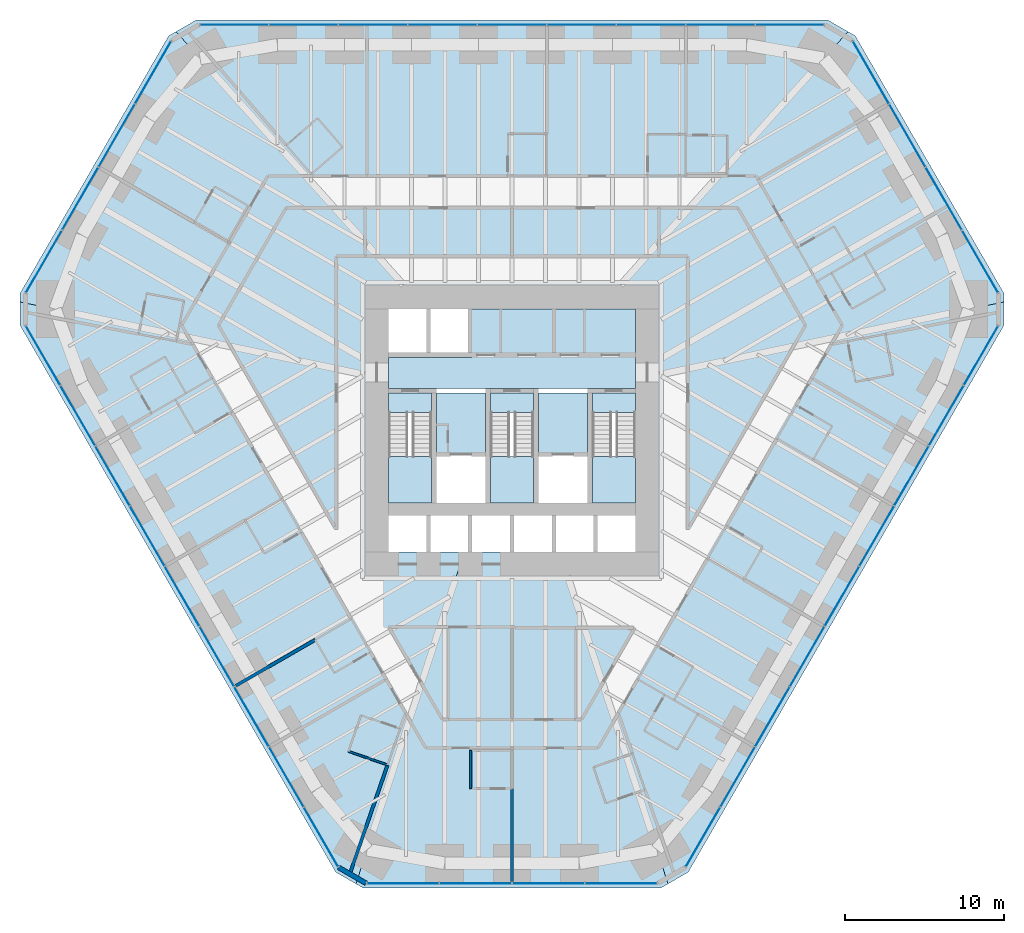
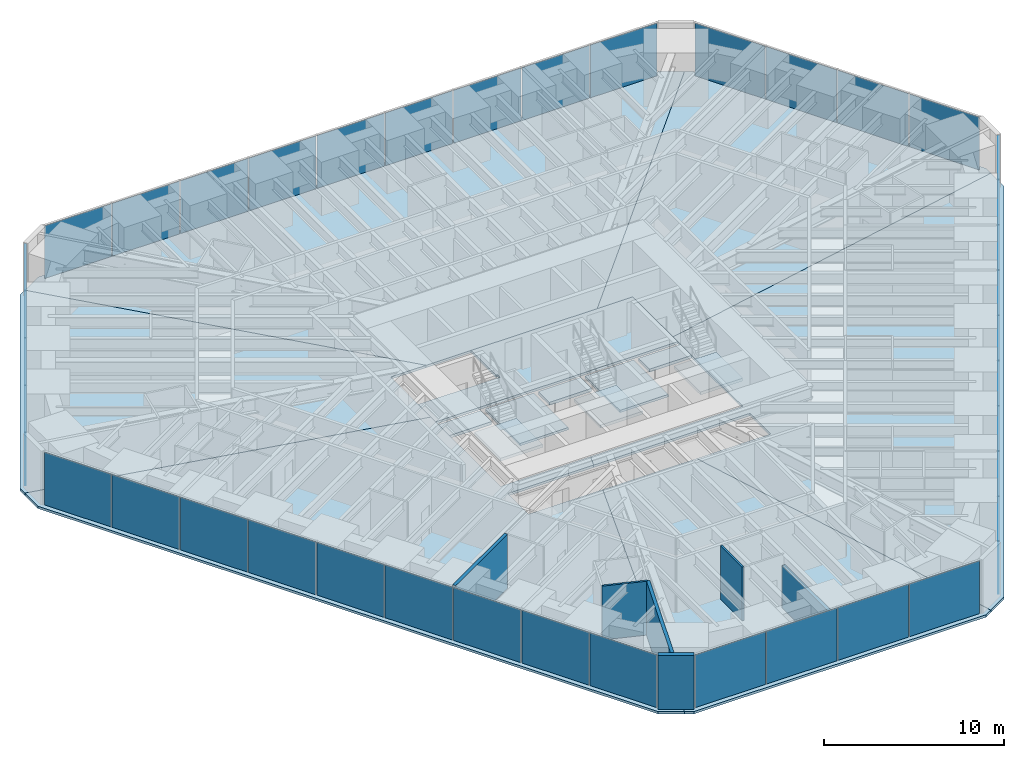
# One storey, part 10 of 17: 39 plates, 15 slabs, 6 walls, 9 elements without a shape of their own.
"""IFC4 building model written with IfcOpenShell, lengths in metres."""

from ifc_helpers import new_model, si_unit, direction, frame, frame_2d, origin, origin_2d, place, context, subcontext, project, spatial, polyline, rectangle, outline, extrude, material, layer, layer_set, type_object, element, aggregate, save


model = new_model("IFC4")

# Units and contexts
model_context = context("Model", 3, precision=1e-05, world=origin(), true_north=direction((0.0, 1.0)))
body_context = subcontext(model_context, "Body", "Model", "MODEL_VIEW")
ifc_project = project(units=[si_unit("LENGTHUNIT", "METRE"), si_unit("AREAUNIT", "SQUARE_METRE"), si_unit("VOLUMEUNIT", "CUBIC_METRE"), si_unit("PLANEANGLEUNIT", "RADIAN"), si_unit("MASSUNIT", "GRAM", prefix="KILO")], contexts=[model_context])

# Site, building, storey
site_placement = place(None, origin())
site = spatial("IfcSite", under=ifc_project, at=site_placement, CompositionType="ELEMENT")
building_placement = place(site_placement, origin())
building = spatial("IfcBuilding", under=site, at=building_placement, Name="Sandreach Pilgrim Tower", CompositionType="ELEMENT")
storey_placement = place(building_placement, frame((0.0, 0.0, 53.39990234375)))
storey = spatial("IfcBuildingStorey", under=building, at=storey_placement, Name="L12", CompositionType="ELEMENT", Elevation=53.39990234375)

# Curtain wall, plates
ifc_material_1 = material(Name="Aluminium framed curtain wall", Category="aluminium")
curtain_wall_type = type_object("IfcCurtainWallType", Name="Hostel tower curtain wall", PredefinedType="NOTDEFINED", material=ifc_material_1)
curtain_wall_1_placement = place(storey_placement, origin())
curtain_wall_1 = element("IfcCurtainWall", 1, at=curtain_wall_1_placement, inside=storey, type_object=curtain_wall_type, Name="CW-1 L12 N", PredefinedType="NOTDEFINED")
ifc_material_2 = material(Name="Insulating glass unit 6 heat-strengthened + 12 argon + 6 heat-strengthened", Category="glass")
ifc_layer_1 = layer(ifc_material_2, 0.02392578125)
ifc_layer_set_1 = layer_set([ifc_layer_1], Name="CW-1 panel")
plate_type = type_object("IfcPlateType", Name="CW-1 panel", PredefinedType="CURTAIN_PANEL", material=ifc_layer_set_1)
plate_1_placement = place(storey_placement, frame((-17.469970703125, 23.94873046875, 0.0), z_axis=(0.0, 0.0, 1.0), x_axis=(1.0, 0.0, 0.0)))
plate_1 = element("IfcPlate", 2, at=plate_1_placement, type_object=plate_type, Name="CW-1 panel 1", PredefinedType="CURTAIN_PANEL", context=body_context, shape_type="SweptSolid", body=[
    extrude(rectangle(XDim=4.274169921875, YDim=0.02392578125, at=origin_2d()), origin(), (0.0, 0.0, 1.0), 3.570068359375),
])
plate_2_placement = place(storey_placement, frame((-13.11474609375, 23.94873046875, 0.0), z_axis=(0.0, 0.0, 1.0), x_axis=(1.0, 0.0, 0.0)))
plate_2 = element("IfcPlate", 3, at=plate_2_placement, type_object=plate_type, Name="CW-1 panel 2", PredefinedType="CURTAIN_PANEL", context=body_context, shape_type="SweptSolid", body=[
    extrude(rectangle(XDim=4.306640625, YDim=0.02392578125, at=origin_2d()), origin(), (0.0, 0.0, 1.0), 3.570068359375),
])
plate_3_placement = place(storey_placement, frame((-8.7431640625, 23.94873046875, 0.0), z_axis=(0.0, 0.0, 1.0), x_axis=(1.0, 0.0, 0.0)))
plate_3 = element("IfcPlate", 4, at=plate_3_placement, type_object=plate_type, Name="CW-1 panel 3", PredefinedType="CURTAIN_PANEL", context=body_context, shape_type="SweptSolid", body=[
    extrude(rectangle(XDim=4.306640625, YDim=0.02392578125, at=origin_2d()), origin(), (0.0, 0.0, 1.0), 3.570068359375),
])
plate_4_placement = place(storey_placement, frame((-4.37158203125, 23.94873046875, 0.0), z_axis=(0.0, 0.0, 1.0), x_axis=(1.0, 0.0, 0.0)))
plate_4 = element("IfcPlate", 5, at=plate_4_placement, type_object=plate_type, Name="CW-1 panel 4", PredefinedType="CURTAIN_PANEL", context=body_context, shape_type="SweptSolid", body=[
    extrude(rectangle(XDim=4.306640625, YDim=0.02392578125, at=origin_2d()), origin(), (0.0, 0.0, 1.0), 3.570068359375),
])
plate_5_placement = place(storey_placement, frame((0.0, 23.94873046875, 0.0), z_axis=(0.0, 0.0, 1.0), x_axis=(1.0, 0.0, 0.0)))
plate_5 = element("IfcPlate", 6, at=plate_5_placement, type_object=plate_type, Name="CW-1 panel 5", PredefinedType="CURTAIN_PANEL", context=body_context, shape_type="SweptSolid", body=[
    extrude(rectangle(XDim=4.306640625, YDim=0.02392578125, at=origin_2d()), origin(), (0.0, 0.0, 1.0), 3.570068359375),
])
plate_6_placement = place(storey_placement, frame((4.37158203125, 23.94873046875, 0.0), z_axis=(0.0, 0.0, 1.0), x_axis=(1.0, 0.0, 0.0)))
plate_6 = element("IfcPlate", 7, at=plate_6_placement, type_object=plate_type, Name="CW-1 panel 6", PredefinedType="CURTAIN_PANEL", context=body_context, shape_type="SweptSolid", body=[
    extrude(rectangle(XDim=4.306640625, YDim=0.02392578125, at=origin_2d()), origin(), (0.0, 0.0, 1.0), 3.570068359375),
])
plate_7_placement = place(storey_placement, frame((8.7431640625, 23.94873046875, 0.0), z_axis=(0.0, 0.0, 1.0), x_axis=(1.0, 0.0, 0.0)))
plate_7 = element("IfcPlate", 8, at=plate_7_placement, type_object=plate_type, Name="CW-1 panel 7", PredefinedType="CURTAIN_PANEL", context=body_context, shape_type="SweptSolid", body=[
    extrude(rectangle(XDim=4.306640625, YDim=0.02392578125, at=origin_2d()), origin(), (0.0, 0.0, 1.0), 3.570068359375),
])
plate_8_placement = place(storey_placement, frame((13.11474609375, 23.94873046875, 0.0), z_axis=(0.0, 0.0, 1.0), x_axis=(1.0, 0.0, 0.0)))
plate_8 = element("IfcPlate", 9, at=plate_8_placement, type_object=plate_type, Name="CW-1 panel 8", PredefinedType="CURTAIN_PANEL", context=body_context, shape_type="SweptSolid", body=[
    extrude(rectangle(XDim=4.306640625, YDim=0.02392578125, at=origin_2d()), origin(), (0.0, 0.0, 1.0), 3.570068359375),
])
plate_9_placement = place(storey_placement, frame((17.469970703125, 23.94873046875, 0.0), z_axis=(0.0, 0.0, 1.0), x_axis=(1.0, 0.0, 0.0)))
plate_9 = element("IfcPlate", 10, at=plate_9_placement, type_object=plate_type, Name="CW-1 panel 9", PredefinedType="CURTAIN_PANEL", context=body_context, shape_type="SweptSolid", body=[
    extrude(rectangle(XDim=4.274169921875, YDim=0.02392578125, at=origin_2d()), origin(), (0.0, 0.0, 1.0), 3.570068359375),
])
aggregate(curtain_wall_1, [plate_1, plate_2, plate_3, plate_4, plate_5, plate_6, plate_7, plate_8, plate_9])

curtain_wall_2_placement = place(storey_placement, origin())
curtain_wall_2 = element("IfcCurtainWall", 11, at=curtain_wall_2_placement, inside=storey, type_object=curtain_wall_type, Name="CW-1 L12 NE", PredefinedType="NOTDEFINED")
plate_10_placement = place(storey_placement, frame((22.558837890625, 20.94873046875, 0.0), z_axis=(0.0, 0.0, 1.0), x_axis=(0.5, -0.866025403784, 0.0)))
plate_10 = element("IfcPlate", 12, at=plate_10_placement, type_object=plate_type, Name="CW-1 panel 1", PredefinedType="CURTAIN_PANEL", context=body_context, shape_type="SweptSolid", body=[
    extrude(rectangle(XDim=4.488525390625, YDim=0.02392578125, at=origin_2d()), origin(), (0.0, 0.0, 1.0), 3.570068359375),
])
plate_11_placement = place(storey_placement, frame((24.84375, 16.9912109375, 0.0), z_axis=(0.0, 0.0, 1.0), x_axis=(0.5, -0.866025403784, 0.0)))
plate_11 = element("IfcPlate", 13, at=plate_11_placement, type_object=plate_type, Name="CW-1 panel 2", PredefinedType="CURTAIN_PANEL", context=body_context, shape_type="SweptSolid", body=[
    extrude(rectangle(XDim=4.52099609375, YDim=0.02392578125, at=origin_2d()), origin(), (0.0, 0.0, 1.0), 3.570068359375),
])
plate_12_placement = place(storey_placement, frame((27.13671875, 13.01953125, 0.0), z_axis=(0.0, 0.0, 1.0), x_axis=(0.5, -0.866025403784, 0.0)))
plate_12 = element("IfcPlate", 14, at=plate_12_placement, type_object=plate_type, Name="CW-1 panel 3", PredefinedType="CURTAIN_PANEL", context=body_context, shape_type="SweptSolid", body=[
    extrude(rectangle(XDim=4.52099609375, YDim=0.02392578125, at=origin_2d()), origin(), (0.0, 0.0, 1.0), 3.570068359375),
])
plate_13_placement = place(storey_placement, frame((29.421630859375, 9.06201171875, 0.0), z_axis=(0.0, 0.0, 1.0), x_axis=(0.5, -0.866025403784, 0.0)))
plate_13 = element("IfcPlate", 15, at=plate_13_placement, type_object=plate_type, Name="CW-1 panel 4", PredefinedType="CURTAIN_PANEL", context=body_context, shape_type="SweptSolid", body=[
    extrude(rectangle(XDim=4.488525390625, YDim=0.02392578125, at=origin_2d()), origin(), (0.0, 0.0, 1.0), 3.570068359375),
])
aggregate(curtain_wall_2, [plate_10, plate_11, plate_12, plate_13])

curtain_wall_3_placement = place(storey_placement, origin())
curtain_wall_3 = element("IfcCurtainWall", 16, at=curtain_wall_3_placement, inside=storey, type_object=curtain_wall_type, Name="CW-1 L12 SE", PredefinedType="NOTDEFINED")
plate_14_placement = place(storey_placement, frame((29.475341796875, 3.1552734375, 0.0), z_axis=(0.0, 0.0, 1.0), x_axis=(-0.5, -0.866025403784, 0.0)))
plate_14 = element("IfcPlate", 17, at=plate_14_placement, type_object=plate_type, Name="CW-1 panel 1", PredefinedType="CURTAIN_PANEL", context=body_context, shape_type="SweptSolid", body=[
    extrude(rectangle(XDim=4.274169921875, YDim=0.02392578125, at=origin_2d()), origin(), (0.0, 0.0, 1.0), 3.570068359375),
])
plate_15_placement = place(storey_placement, frame((27.297607421875, -0.61669921875, 0.0), z_axis=(0.0, 0.0, 1.0), x_axis=(-0.5, -0.866025403784, 0.0)))
plate_15 = element("IfcPlate", 18, at=plate_15_placement, type_object=plate_type, Name="CW-1 panel 2", PredefinedType="CURTAIN_PANEL", context=body_context, shape_type="SweptSolid", body=[
    extrude(rectangle(XDim=4.306640625, YDim=0.02392578125, at=origin_2d()), origin(), (0.0, 0.0, 1.0), 3.570068359375),
])
plate_16_placement = place(storey_placement, frame((25.11181640625, -4.402587890625, 0.0), z_axis=(0.0, 0.0, 1.0), x_axis=(-0.5, -0.866025403784, 0.0)))
plate_16 = element("IfcPlate", 19, at=plate_16_placement, type_object=plate_type, Name="CW-1 panel 3", PredefinedType="CURTAIN_PANEL", context=body_context, shape_type="SweptSolid", body=[
    extrude(rectangle(XDim=4.306640625, YDim=0.02392578125, at=origin_2d()), origin(), (0.0, 0.0, 1.0), 3.570068359375),
])
plate_17_placement = place(storey_placement, frame((22.926025390625, -8.1884765625, 0.0), z_axis=(0.0, 0.0, 1.0), x_axis=(-0.5, -0.866025403784, 0.0)))
plate_17 = element("IfcPlate", 20, at=plate_17_placement, type_object=plate_type, Name="CW-1 panel 4", PredefinedType="CURTAIN_PANEL", context=body_context, shape_type="SweptSolid", body=[
    extrude(rectangle(XDim=4.306640625, YDim=0.02392578125, at=origin_2d()), origin(), (0.0, 0.0, 1.0), 3.570068359375),
])
plate_18_placement = place(storey_placement, frame((20.740234375, -11.974365234375, 0.0), z_axis=(0.0, 0.0, 1.0), x_axis=(-0.5, -0.866025403784, 0.0)))
plate_18 = element("IfcPlate", 21, at=plate_18_placement, type_object=plate_type, Name="CW-1 panel 5", PredefinedType="CURTAIN_PANEL", context=body_context, shape_type="SweptSolid", body=[
    extrude(rectangle(XDim=4.306640625, YDim=0.02392578125, at=origin_2d()), origin(), (0.0, 0.0, 1.0), 3.570068359375),
])
plate_19_placement = place(storey_placement, frame((18.554443359375, -15.76025390625, 0.0), z_axis=(0.0, 0.0, 1.0), x_axis=(-0.5, -0.866025403784, 0.0)))
plate_19 = element("IfcPlate", 22, at=plate_19_placement, type_object=plate_type, Name="CW-1 panel 6", PredefinedType="CURTAIN_PANEL", context=body_context, shape_type="SweptSolid", body=[
    extrude(rectangle(XDim=4.306640625, YDim=0.02392578125, at=origin_2d()), origin(), (0.0, 0.0, 1.0), 3.570068359375),
])
plate_20_placement = place(storey_placement, frame((16.36865234375, -19.546142578125, 0.0), z_axis=(0.0, 0.0, 1.0), x_axis=(-0.5, -0.866025403784, 0.0)))
plate_20 = element("IfcPlate", 23, at=plate_20_placement, type_object=plate_type, Name="CW-1 panel 7", PredefinedType="CURTAIN_PANEL", context=body_context, shape_type="SweptSolid", body=[
    extrude(rectangle(XDim=4.306640625, YDim=0.02392578125, at=origin_2d()), origin(), (0.0, 0.0, 1.0), 3.570068359375),
])
plate_21_placement = place(storey_placement, frame((14.182861328125, -23.33203125, 0.0), z_axis=(0.0, 0.0, 1.0), x_axis=(-0.5, -0.866025403784, 0.0)))
plate_21 = element("IfcPlate", 24, at=plate_21_placement, type_object=plate_type, Name="CW-1 panel 8", PredefinedType="CURTAIN_PANEL", context=body_context, shape_type="SweptSolid", body=[
    extrude(rectangle(XDim=4.306640625, YDim=0.02392578125, at=origin_2d()), origin(), (0.0, 0.0, 1.0), 3.570068359375),
])
plate_22_placement = place(storey_placement, frame((12.005126953125, -27.103759765625, 0.0), z_axis=(0.0, 0.0, 1.0), x_axis=(-0.5, -0.866025403784, 0.0)))
plate_22 = element("IfcPlate", 25, at=plate_22_placement, type_object=plate_type, Name="CW-1 panel 9", PredefinedType="CURTAIN_PANEL", context=body_context, shape_type="SweptSolid", body=[
    extrude(rectangle(XDim=4.274169921875, YDim=0.02392578125, at=origin_2d()), origin(), (0.0, 0.0, 1.0), 3.570068359375),
])
aggregate(curtain_wall_3, [plate_14, plate_15, plate_16, plate_17, plate_18, plate_19, plate_20, plate_21, plate_22])

curtain_wall_4_placement = place(storey_placement, origin())
curtain_wall_4 = element("IfcCurtainWall", 26, at=curtain_wall_4_placement, inside=storey, type_object=curtain_wall_type, Name="CW-1 L12 S", PredefinedType="NOTDEFINED")
plate_23_placement = place(storey_placement, frame((6.86279296875, -30.010986328125, 0.0), z_axis=(0.0, 0.0, 1.0), x_axis=(-1.0, 0.0, 0.0)))
plate_23 = element("IfcPlate", 27, at=plate_23_placement, type_object=plate_type, Name="CW-1 panel 1", PredefinedType="CURTAIN_PANEL", context=body_context, shape_type="SweptSolid", body=[
    extrude(rectangle(XDim=4.488525390625, YDim=0.02392578125, at=origin_2d()), origin(), (0.0, 0.0, 1.0), 3.570068359375),
])
plate_24_placement = place(storey_placement, frame((2.29296875, -30.010986328125, 0.0), z_axis=(0.0, 0.0, 1.0), x_axis=(-1.0, 0.0, 0.0)))
plate_24 = element("IfcPlate", 28, at=plate_24_placement, type_object=plate_type, Name="CW-1 panel 2", PredefinedType="CURTAIN_PANEL", context=body_context, shape_type="SweptSolid", body=[
    extrude(rectangle(XDim=4.52099609375, YDim=0.02392578125, at=origin_2d()), origin(), (0.0, 0.0, 1.0), 3.570068359375),
])
plate_25_placement = place(storey_placement, frame((-2.29296875, -30.010986328125, 0.0), z_axis=(0.0, 0.0, 1.0), x_axis=(-1.0, 0.0, 0.0)))
plate_25 = element("IfcPlate", 29, at=plate_25_placement, type_object=plate_type, Name="CW-1 panel 3", PredefinedType="CURTAIN_PANEL", context=body_context, shape_type="SweptSolid", body=[
    extrude(rectangle(XDim=4.52099609375, YDim=0.02392578125, at=origin_2d()), origin(), (0.0, 0.0, 1.0), 3.570068359375),
])
plate_26_placement = place(storey_placement, frame((-6.86279296875, -30.010986328125, 0.0), z_axis=(0.0, 0.0, 1.0), x_axis=(-1.0, 0.0, 0.0)))
plate_26 = element("IfcPlate", 30, at=plate_26_placement, type_object=plate_type, Name="CW-1 panel 4", PredefinedType="CURTAIN_PANEL", context=body_context, shape_type="SweptSolid", body=[
    extrude(rectangle(XDim=4.488525390625, YDim=0.02392578125, at=origin_2d()), origin(), (0.0, 0.0, 1.0), 3.570068359375),
])
aggregate(curtain_wall_4, [plate_23, plate_24, plate_25, plate_26])

curtain_wall_5_placement = place(storey_placement, origin())
curtain_wall_5 = element("IfcCurtainWall", 31, at=curtain_wall_5_placement, inside=storey, type_object=curtain_wall_type, Name="CW-1 L12 SW", PredefinedType="NOTDEFINED")
plate_27_placement = place(storey_placement, frame((-12.005126953125, -27.103759765625, 0.0), z_axis=(0.0, 0.0, 1.0), x_axis=(-0.5, 0.866025403784, 0.0)))
plate_27 = element("IfcPlate", 32, at=plate_27_placement, type_object=plate_type, Name="CW-1 panel 1", PredefinedType="CURTAIN_PANEL", context=body_context, shape_type="SweptSolid", body=[
    extrude(rectangle(XDim=4.274169921875, YDim=0.02392578125, at=origin_2d()), origin(), (0.0, 0.0, 1.0), 3.570068359375),
])
plate_28_placement = place(storey_placement, frame((-14.182861328125, -23.33203125, 0.0), z_axis=(0.0, 0.0, 1.0), x_axis=(-0.5, 0.866025403784, 0.0)))
plate_28 = element("IfcPlate", 33, at=plate_28_placement, type_object=plate_type, Name="CW-1 panel 2", PredefinedType="CURTAIN_PANEL", context=body_context, shape_type="SweptSolid", body=[
    extrude(rectangle(XDim=4.306640625, YDim=0.02392578125, at=origin_2d()), origin(), (0.0, 0.0, 1.0), 3.570068359375),
])
plate_29_placement = place(storey_placement, frame((-16.36865234375, -19.546142578125, 0.0), z_axis=(0.0, 0.0, 1.0), x_axis=(-0.5, 0.866025403784, 0.0)))
plate_29 = element("IfcPlate", 34, at=plate_29_placement, type_object=plate_type, Name="CW-1 panel 3", PredefinedType="CURTAIN_PANEL", context=body_context, shape_type="SweptSolid", body=[
    extrude(rectangle(XDim=4.306640625, YDim=0.02392578125, at=origin_2d()), origin(), (0.0, 0.0, 1.0), 3.570068359375),
])
plate_30_placement = place(storey_placement, frame((-18.554443359375, -15.76025390625, 0.0), z_axis=(0.0, 0.0, 1.0), x_axis=(-0.5, 0.866025403784, 0.0)))
plate_30 = element("IfcPlate", 35, at=plate_30_placement, type_object=plate_type, Name="CW-1 panel 4", PredefinedType="CURTAIN_PANEL", context=body_context, shape_type="SweptSolid", body=[
    extrude(rectangle(XDim=4.306640625, YDim=0.02392578125, at=origin_2d()), origin(), (0.0, 0.0, 1.0), 3.570068359375),
])
plate_31_placement = place(storey_placement, frame((-20.740234375, -11.974365234375, 0.0), z_axis=(0.0, 0.0, 1.0), x_axis=(-0.5, 0.866025403784, 0.0)))
plate_31 = element("IfcPlate", 36, at=plate_31_placement, type_object=plate_type, Name="CW-1 panel 5", PredefinedType="CURTAIN_PANEL", context=body_context, shape_type="SweptSolid", body=[
    extrude(rectangle(XDim=4.306640625, YDim=0.02392578125, at=origin_2d()), origin(), (0.0, 0.0, 1.0), 3.570068359375),
])
plate_32_placement = place(storey_placement, frame((-22.926025390625, -8.1884765625, 0.0), z_axis=(0.0, 0.0, 1.0), x_axis=(-0.5, 0.866025403784, 0.0)))
plate_32 = element("IfcPlate", 37, at=plate_32_placement, type_object=plate_type, Name="CW-1 panel 6", PredefinedType="CURTAIN_PANEL", context=body_context, shape_type="SweptSolid", body=[
    extrude(rectangle(XDim=4.306640625, YDim=0.02392578125, at=origin_2d()), origin(), (0.0, 0.0, 1.0), 3.570068359375),
])
plate_33_placement = place(storey_placement, frame((-25.11181640625, -4.402587890625, 0.0), z_axis=(0.0, 0.0, 1.0), x_axis=(-0.5, 0.866025403784, 0.0)))
plate_33 = element("IfcPlate", 38, at=plate_33_placement, type_object=plate_type, Name="CW-1 panel 7", PredefinedType="CURTAIN_PANEL", context=body_context, shape_type="SweptSolid", body=[
    extrude(rectangle(XDim=4.306640625, YDim=0.02392578125, at=origin_2d()), origin(), (0.0, 0.0, 1.0), 3.570068359375),
])
plate_34_placement = place(storey_placement, frame((-27.297607421875, -0.61669921875, 0.0), z_axis=(0.0, 0.0, 1.0), x_axis=(-0.5, 0.866025403784, 0.0)))
plate_34 = element("IfcPlate", 39, at=plate_34_placement, type_object=plate_type, Name="CW-1 panel 8", PredefinedType="CURTAIN_PANEL", context=body_context, shape_type="SweptSolid", body=[
    extrude(rectangle(XDim=4.306640625, YDim=0.02392578125, at=origin_2d()), origin(), (0.0, 0.0, 1.0), 3.570068359375),
])
plate_35_placement = place(storey_placement, frame((-29.475341796875, 3.1552734375, 0.0), z_axis=(0.0, 0.0, 1.0), x_axis=(-0.5, 0.866025403784, 0.0)))
plate_35 = element("IfcPlate", 40, at=plate_35_placement, type_object=plate_type, Name="CW-1 panel 9", PredefinedType="CURTAIN_PANEL", context=body_context, shape_type="SweptSolid", body=[
    extrude(rectangle(XDim=4.274169921875, YDim=0.02392578125, at=origin_2d()), origin(), (0.0, 0.0, 1.0), 3.570068359375),
])
aggregate(curtain_wall_5, [plate_27, plate_28, plate_29, plate_30, plate_31, plate_32, plate_33, plate_34, plate_35])

curtain_wall_6_placement = place(storey_placement, origin())
curtain_wall_6 = element("IfcCurtainWall", 41, at=curtain_wall_6_placement, inside=storey, type_object=curtain_wall_type, Name="CW-1 L12 NW", PredefinedType="NOTDEFINED")
plate_36_placement = place(storey_placement, frame((-29.421630859375, 9.06201171875, 0.0), z_axis=(0.0, 0.0, 1.0), x_axis=(0.5, 0.866025403784, 0.0)))
plate_36 = element("IfcPlate", 42, at=plate_36_placement, type_object=plate_type, Name="CW-1 panel 1", PredefinedType="CURTAIN_PANEL", context=body_context, shape_type="SweptSolid", body=[
    extrude(rectangle(XDim=4.488525390625, YDim=0.02392578125, at=origin_2d()), origin(), (0.0, 0.0, 1.0), 3.570068359375),
])
plate_37_placement = place(storey_placement, frame((-27.13671875, 13.01953125, 0.0), z_axis=(0.0, 0.0, 1.0), x_axis=(0.5, 0.866025403784, 0.0)))
plate_37 = element("IfcPlate", 43, at=plate_37_placement, type_object=plate_type, Name="CW-1 panel 2", PredefinedType="CURTAIN_PANEL", context=body_context, shape_type="SweptSolid", body=[
    extrude(rectangle(XDim=4.52099609375, YDim=0.02392578125, at=origin_2d()), origin(), (0.0, 0.0, 1.0), 3.570068359375),
])
plate_38_placement = place(storey_placement, frame((-24.84375, 16.9912109375, 0.0), z_axis=(0.0, 0.0, 1.0), x_axis=(0.5, 0.866025403784, 0.0)))
plate_38 = element("IfcPlate", 44, at=plate_38_placement, type_object=plate_type, Name="CW-1 panel 3", PredefinedType="CURTAIN_PANEL", context=body_context, shape_type="SweptSolid", body=[
    extrude(rectangle(XDim=4.52099609375, YDim=0.02392578125, at=origin_2d()), origin(), (0.0, 0.0, 1.0), 3.570068359375),
])
plate_39_placement = place(storey_placement, frame((-22.558837890625, 20.94873046875, 0.0), z_axis=(0.0, 0.0, 1.0), x_axis=(0.5, 0.866025403784, 0.0)))
plate_39 = element("IfcPlate", 45, at=plate_39_placement, type_object=plate_type, Name="CW-1 panel 4", PredefinedType="CURTAIN_PANEL", context=body_context, shape_type="SweptSolid", body=[
    extrude(rectangle(XDim=4.488525390625, YDim=0.02392578125, at=origin_2d()), origin(), (0.0, 0.0, 1.0), 3.570068359375),
])
aggregate(curtain_wall_6, [plate_36, plate_37, plate_38, plate_39])

# Slabs
ifc_material_3 = material(Name="Concrete 8000 psi", Category="concrete")
ifc_layer_2 = layer(ifc_material_3, 0.159912109375)
ifc_layer_set_2 = layer_set([ifc_layer_2], Name="Composite floor slab 160")
slab_type_1 = type_object("IfcSlabType", Name="Composite floor slab 160", PredefinedType="FLOOR", material=ifc_layer_set_2)
slab_1_placement = place(storey_placement, frame((0.0, 0.0, -0.159912109375)))
element("IfcSlab", 46, at=slab_1_placement, inside=storey, type_object=slab_type_1, Name="Floor slab L12 N sector", PredefinedType="FLOOR", context=body_context, shape_type="SweptSolid", body=[
    extrude(outline(polyline([(-19.84521484375, 24.248779296875), (19.84521484375, 24.248779296875), (21.115478515625, 23.515380859375), (5.477294921875, 6.10009765625), (-5.477294921875, 6.10009765625), (-21.115478515625, 23.515380859375), (-19.84521484375, 24.248779296875)])), origin(), (0.0, 0.0, 1.0), 0.159912109375),
])
slab_2_placement = place(storey_placement, frame((0.0, 0.0, -0.159912109375)))
element("IfcSlab", 47, at=slab_2_placement, inside=storey, type_object=slab_type_1, Name="Floor slab L12 NE sector", PredefinedType="FLOOR", context=body_context, shape_type="SweptSolid", body=[
    extrude(outline(polyline([(21.577392578125, 23.248779296875), (30.922607421875, 7.062255859375), (30.922607421875, 6.52880859375), (7.75, 1.63623046875), (7.75, 6.10009765625), (5.477294921875, 6.10009765625), (21.115478515625, 23.515380859375), (21.577392578125, 23.248779296875)])), origin(), (0.0, 0.0, 1.0), 0.159912109375),
])
slab_3_placement = place(storey_placement, frame((0.0, 0.0, -0.159912109375)))
element("IfcSlab", 48, at=slab_3_placement, inside=storey, type_object=slab_type_1, Name="Floor slab L12 SE sector", PredefinedType="FLOOR", context=body_context, shape_type="SweptSolid", body=[
    extrude(outline(polyline([(11.077392578125, -29.310791015625), (9.80712890625, -30.044189453125), (3.003173828125, -9.199951171875), (7.75, -9.199951171875), (7.75, -6.89990234375), (-2.252197265625, -6.89990234375), (-1.9912109375, -6.10009765625), (7.75, -6.10009765625), (7.75, 1.63623046875), (30.922607421875, 6.52880859375), (30.922607421875, 5.062255859375), (11.077392578125, -29.310791015625)])), origin(), (0.0, 0.0, 1.0), 0.159912109375),
])
slab_4_placement = place(storey_placement, frame((0.0, 0.0, -0.159912109375)))
element("IfcSlab", 49, at=slab_4_placement, inside=storey, type_object=slab_type_1, Name="Floor slab L12 S sector", PredefinedType="FLOOR", context=body_context, shape_type="SweptSolid", body=[
    extrude(outline(polyline([(9.34521484375, -30.310791015625), (-9.34521484375, -30.310791015625), (-9.80712890625, -30.044189453125), (-3.003173828125, -9.199951171875), (3.003173828125, -9.199951171875), (9.80712890625, -30.044189453125), (9.34521484375, -30.310791015625)])), origin(), (0.0, 0.0, 1.0), 0.159912109375),
])
slab_5_placement = place(storey_placement, frame((0.0, 0.0, -0.159912109375)))
element("IfcSlab", 50, at=slab_5_placement, inside=storey, type_object=slab_type_1, Name="Floor slab L12 SW sector", PredefinedType="FLOOR", context=body_context, shape_type="SweptSolid", body=[
    extrude(outline(polyline([(-11.077392578125, -29.310791015625), (-30.922607421875, 5.062255859375), (-30.922607421875, 6.52880859375), (-7.75, 1.63623046875), (-7.75, -6.10009765625), (-1.9912109375, -6.10009765625), (-2.252197265625, -6.89990234375), (-7.75, -6.89990234375), (-7.75, -9.199951171875), (-3.003173828125, -9.199951171875), (-9.80712890625, -30.044189453125), (-11.077392578125, -29.310791015625)])), origin(), (0.0, 0.0, 1.0), 0.159912109375),
])
slab_6_placement = place(storey_placement, frame((0.0, 0.0, -0.159912109375)))
element("IfcSlab", 51, at=slab_6_placement, inside=storey, type_object=slab_type_1, Name="Floor slab L12 NW sector", PredefinedType="FLOOR", context=body_context, shape_type="SweptSolid", body=[
    extrude(outline(polyline([(-30.922607421875, 7.062255859375), (-21.577392578125, 23.248779296875), (-21.115478515625, 23.515380859375), (-5.477294921875, 6.10009765625), (-7.75, 6.10009765625), (-7.75, 1.63623046875), (-30.922607421875, 6.52880859375), (-30.922607421875, 7.062255859375)])), origin(), (0.0, 0.0, 1.0), 0.159912109375),
])
slab_7_placement = place(storey_placement, frame((0.0, 0.0, -0.159912109375)))
element("IfcSlab", 52, at=slab_7_placement, inside=storey, type_object=slab_type_1, Name="Core floor slab L12", PredefinedType="FLOOR", context=body_context, shape_type="SweptSolid", body=[
    extrude(outline(polyline([(-7.75, 3.050048828125), (-5.375, 3.050048828125), (-5.125, 3.050048828125), (-2.5, 3.050048828125), (-2.5, 3.35009765625), (-2.60009765625, 3.35009765625), (-2.60009765625, 6.10009765625), (7.75, 6.10009765625), (7.75, 1.10009765625), (5.050048828125, 1.10009765625), (4.75, 1.10009765625), (1.64990234375, 1.10009765625), (1.35009765625, 1.10009765625), (-1.35009765625, 1.10009765625), (-1.64990234375, 1.10009765625), (-4.75, 1.10009765625), (-5.050048828125, 1.10009765625), (-7.75, 1.10009765625), (-7.75, 3.050048828125)])), origin(), (0.0, 0.0, 1.0), 0.159912109375),
])
slab_8_placement = place(storey_placement, frame((0.0, 0.0, -0.159912109375)))
element("IfcSlab", 53, at=slab_8_placement, inside=storey, type_object=slab_type_1, Name="Core floor slab L12 2", PredefinedType="FLOOR", context=body_context, shape_type="SweptSolid", body=[
    extrude(outline(polyline([(-1.64990234375, -3.050048828125), (-4.75, -3.050048828125), (-4.75, 0.800048828125), (-1.64990234375, 0.800048828125), (-1.64990234375, -3.050048828125)])), origin(), (0.0, 0.0, 1.0), 0.159912109375),
])
slab_9_placement = place(storey_placement, frame((0.0, 0.0, -0.159912109375)))
element("IfcSlab", 54, at=slab_9_placement, inside=storey, type_object=slab_type_1, Name="Core floor slab L12 3", PredefinedType="FLOOR", context=body_context, shape_type="SweptSolid", body=[
    extrude(outline(polyline([(4.75, -3.050048828125), (1.64990234375, -3.050048828125), (1.64990234375, 0.800048828125), (4.75, 0.800048828125), (4.75, -3.050048828125)])), origin(), (0.0, 0.0, 1.0), 0.159912109375),
])

# Stair, slabs
ifc_material_4 = material(Name="Concrete 8000 psi", Category="concrete")
stair_type = type_object("IfcStairType", Name="Core exit stair", PredefinedType="HALF_TURN_STAIR", material=ifc_material_4)
stair_1_placement = place(storey_placement, origin())
stair_1 = element("IfcStair", 55, at=stair_1_placement, inside=storey, type_object=stair_type, Name="Exit stair ST1 L12", PredefinedType="HALF_TURN_STAIR")
ifc_material_5 = material(Name="Concrete 8000 psi", Category="concrete")
ifc_layer_3 = layer(ifc_material_5, 0.199951171875)
ifc_layer_set_3 = layer_set([ifc_layer_3], Name="Core stair landing 200")
slab_type_2 = type_object("IfcSlabType", Name="Core stair landing 200", PredefinedType="LANDING", material=ifc_layer_set_3)
slab_10_placement = place(storey_placement, frame((0.0, 0.0, -0.199951171875)))
slab_10 = element("IfcSlab", 56, at=slab_10_placement, type_object=slab_type_2, Name="ST1 landing 1", PredefinedType="LANDING", context=body_context, shape_type="SweptSolid", body=[
    extrude(outline(polyline([(-7.75, -0.425048828125), (-5.050048828125, -0.425048828125), (-5.050048828125, 0.800048828125), (-7.75, 0.800048828125), (-7.75, -0.425048828125)])), origin(), (0.0, 0.0, 1.0), 0.199951171875),
])
slab_11_placement = place(storey_placement, frame((0.0, 0.0, 1.7001953125)))
slab_11 = element("IfcSlab", 57, at=slab_11_placement, type_object=slab_type_2, Name="ST1 landing 2", PredefinedType="LANDING", context=body_context, shape_type="SweptSolid", body=[
    extrude(outline(polyline([(-7.75, -6.10009765625), (-5.050048828125, -6.10009765625), (-5.050048828125, -3.175048828125), (-7.75, -3.175048828125), (-7.75, -6.10009765625)])), origin(), (0.0, 0.0, 1.0), 0.199951171875),
])
aggregate(stair_1, [slab_10, slab_11])

stair_2_placement = place(storey_placement, origin())
stair_2 = element("IfcStair", 58, at=stair_2_placement, inside=storey, type_object=stair_type, Name="Exit stair ST3 L12", PredefinedType="HALF_TURN_STAIR")
slab_12_placement = place(storey_placement, frame((0.0, 0.0, -0.199951171875)))
slab_12 = element("IfcSlab", 59, at=slab_12_placement, type_object=slab_type_2, Name="ST3 landing 1", PredefinedType="LANDING", context=body_context, shape_type="SweptSolid", body=[
    extrude(outline(polyline([(-1.35009765625, -0.425048828125), (1.35009765625, -0.425048828125), (1.35009765625, 0.800048828125), (-1.35009765625, 0.800048828125), (-1.35009765625, -0.425048828125)])), origin(), (0.0, 0.0, 1.0), 0.199951171875),
])
slab_13_placement = place(storey_placement, frame((0.0, 0.0, 1.7001953125)))
slab_13 = element("IfcSlab", 60, at=slab_13_placement, type_object=slab_type_2, Name="ST3 landing 2", PredefinedType="LANDING", context=body_context, shape_type="SweptSolid", body=[
    extrude(outline(polyline([(-1.35009765625, -6.10009765625), (1.35009765625, -6.10009765625), (1.35009765625, -3.175048828125), (-1.35009765625, -3.175048828125), (-1.35009765625, -6.10009765625)])), origin(), (0.0, 0.0, 1.0), 0.199951171875),
])
aggregate(stair_2, [slab_12, slab_13])

stair_3_placement = place(storey_placement, origin())
stair_3 = element("IfcStair", 61, at=stair_3_placement, inside=storey, type_object=stair_type, Name="Exit stair ST2 L12", PredefinedType="HALF_TURN_STAIR")
slab_14_placement = place(storey_placement, frame((0.0, 0.0, -0.199951171875)))
slab_14 = element("IfcSlab", 62, at=slab_14_placement, type_object=slab_type_2, Name="ST2 landing 1", PredefinedType="LANDING", context=body_context, shape_type="SweptSolid", body=[
    extrude(outline(polyline([(5.050048828125, -0.425048828125), (7.75, -0.425048828125), (7.75, 0.800048828125), (5.050048828125, 0.800048828125), (5.050048828125, -0.425048828125)])), origin(), (0.0, 0.0, 1.0), 0.199951171875),
])
slab_15_placement = place(storey_placement, frame((0.0, 0.0, 1.7001953125)))
slab_15 = element("IfcSlab", 63, at=slab_15_placement, type_object=slab_type_2, Name="ST2 landing 2", PredefinedType="LANDING", context=body_context, shape_type="SweptSolid", body=[
    extrude(outline(polyline([(5.050048828125, -6.10009765625), (7.75, -6.10009765625), (7.75, -3.175048828125), (5.050048828125, -3.175048828125), (5.050048828125, -6.10009765625)])), origin(), (0.0, 0.0, 1.0), 0.199951171875),
])
aggregate(stair_3, [slab_14, slab_15])

# Walls
ifc_material_6 = material(Name="Moisture-resistant gypsum board on steel studs", Category="steel")
ifc_layer_4 = layer(ifc_material_6, 0.1201171875)
ifc_layer_set_4 = layer_set([ifc_layer_4], Name="Bathroom partition 120")
wall_type_1 = type_object("IfcWallType", Name="Bathroom partition 120", PredefinedType="PARTITIONING", material=ifc_layer_set_4)
wall_1_placement = place(storey_placement, frame((-10.280029296875, -21.719970703125, 0.0), z_axis=(0.0, 0.0, 1.0), x_axis=(0.94515546045, -0.326620813149, 0.0)))
element("IfcWall", 64, at=wall_1_placement, inside=storey, type_object=wall_type_1, Name="Bathroom partition L12-049", PredefinedType="PARTITIONING", context=body_context, shape_type="SweptSolid", body=[
    extrude(rectangle(XDim=2.602783203125, YDim=0.1201171875, at=frame_2d((1.30126953125, 0.0))), origin(), (0.0, 0.0, 1.0), 3.64013671875),
])
wall_2_placement = place(storey_placement, frame((-2.60009765625, -21.659912109375, 0.0), z_axis=(0.0, 0.0, 1.0), x_axis=(0.0, -1.0, 0.0)))
element("IfcWall", 65, at=wall_2_placement, inside=storey, type_object=wall_type_1, Name="Bathroom partition L12-069", PredefinedType="PARTITIONING", context=body_context, shape_type="SweptSolid", body=[
    extrude(rectangle(XDim=2.400146484375, YDim=0.1201171875, at=frame_2d((1.2001953125, 0.0))), origin(), (0.0, 0.0, 1.0), 3.64013671875),
])
ifc_material_7 = material(Name="Double steel stud acoustic wall, gypsum board", Category="steel")
ifc_layer_5 = layer(ifc_material_7, 0.199951171875)
ifc_layer_set_5 = layer_set([ifc_layer_5], Name="Party wall 200")
wall_type_2 = type_object("IfcWallType", Name="Party wall 200", PredefinedType="PARTITIONING", material=ifc_layer_set_5)
wall_3_placement = place(storey_placement, frame((-17.356201171875, -17.590087890625, 0.0), z_axis=(0.0, 0.0, 1.0), x_axis=(0.865929957466, 0.500165281445, 0.0)))
element("IfcWall", 66, at=wall_3_placement, inside=storey, type_object=wall_type_2, Name="Party wall L12-030", PredefinedType="PARTITIONING", context=body_context, shape_type="SweptSolid", body=[
    extrude(rectangle(XDim=5.75830078125, YDim=0.199951171875, at=frame_2d((2.879150390625, 0.0))), origin(), (0.0, 0.0, 1.0), 3.64013671875),
])
wall_4_placement = place(storey_placement, frame((-10.2001953125, -29.441650390625, 0.0), z_axis=(0.0, 0.0, 1.0), x_axis=(0.327154379454, 0.944970905374, 0.0)))
element("IfcWall", 67, at=wall_4_placement, inside=storey, type_object=wall_type_2, Name="Party wall L12-050", PredefinedType="PARTITIONING", context=body_context, shape_type="SweptSolid", body=[
    extrude(rectangle(XDim=7.272216796875, YDim=0.199951171875, at=frame_2d((3.63623046875, 0.0))), origin(), (0.0, 0.0, 1.0), 3.64013671875),
])
wall_5_placement = place(storey_placement, frame((0.0, -29.889892578125, 0.0), z_axis=(0.0, 0.0, 1.0), x_axis=(0.0, 1.0, 0.0)))
element("IfcWall", 68, at=wall_5_placement, inside=storey, type_object=wall_type_2, Name="Party wall L12-072", PredefinedType="PARTITIONING", context=body_context, shape_type="SweptSolid", body=[
    extrude(rectangle(XDim=5.829833984375, YDim=0.199951171875, at=frame_2d((2.9150390625, 0.0))), origin(), (0.0, 0.0, 1.0), 2.8603515625),
])
ifc_material_8 = material(Name="Terracotta rainscreen on concrete", Category="masonry")
ifc_layer_6 = layer(ifc_material_8, 0.300048828125)
ifc_layer_set_6 = layer_set([ifc_layer_6], Name="Terracotta chamfer pier")
wall_type_3 = type_object("IfcWallType", Name="Terracotta chamfer pier", PredefinedType="SOLIDWALL", material=ifc_layer_set_6)
wall_6_placement = place(storey_placement, frame((-9.172119140625, -30.010986328125, 0.0), z_axis=(0.0, 0.0, 1.0), x_axis=(-0.866010750942, 0.50002537861, 0.0)))
element("IfcWall", 69, at=wall_6_placement, inside=storey, type_object=wall_type_3, Name="Chamfer pier L12 S", PredefinedType="SOLIDWALL", context=body_context, shape_type="SweptSolid", body=[
    extrude(rectangle(XDim=2.0, YDim=0.300048828125, at=frame_2d((1.0, 0.0))), origin(), (0.0, 0.0, 1.0), 3.64013671875),
])

save(model, "model.ifc")
